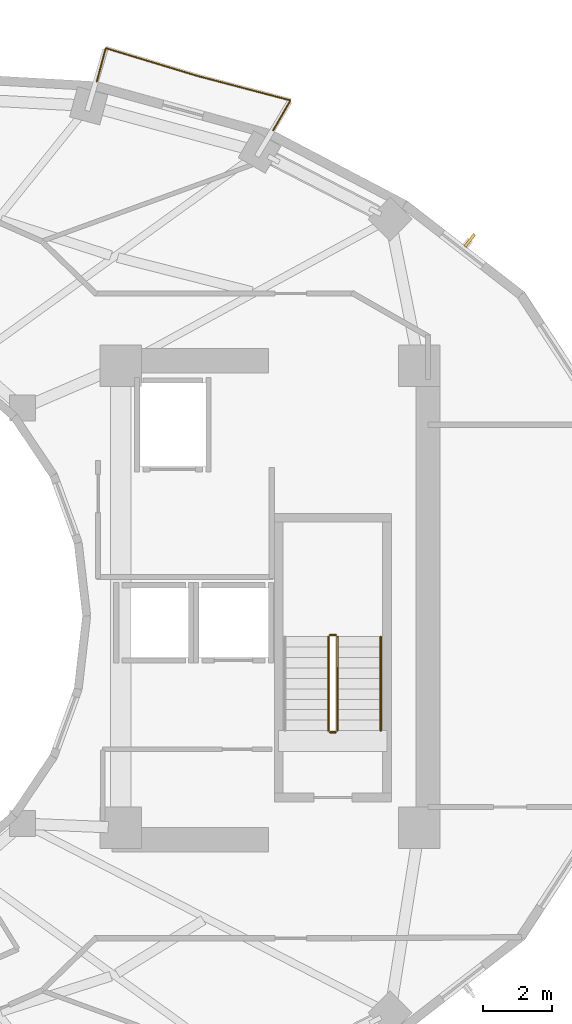
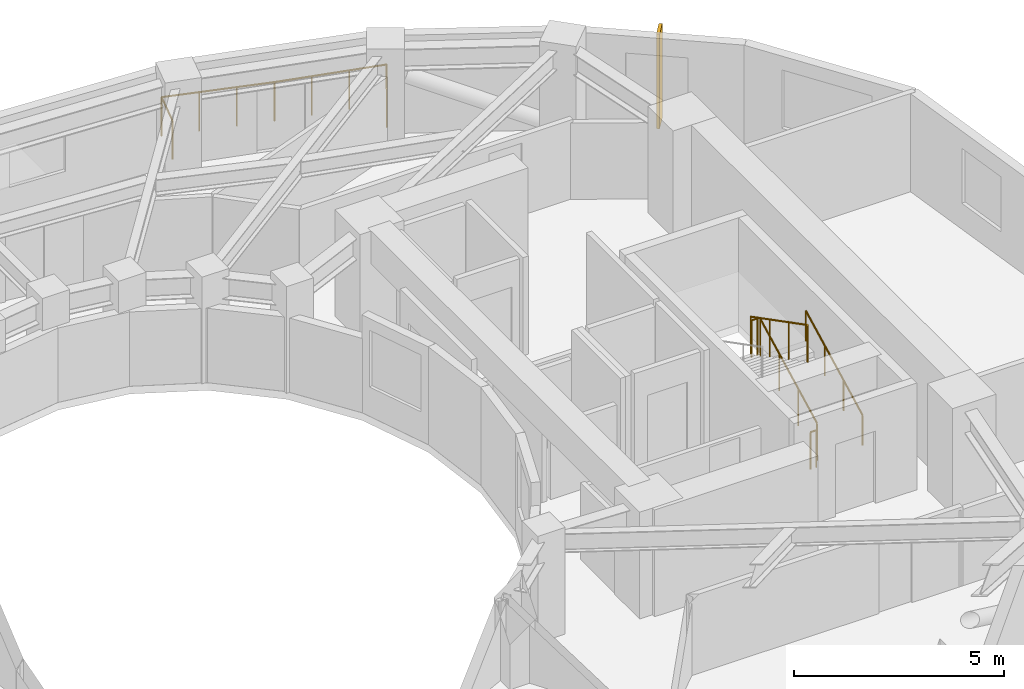
# One storey, part 10 of 10: 6 railings, 1 shading device.
"""IFC4 building model written with IfcOpenShell, lengths in metres."""

from ifc_helpers import new_model, si_unit, direction, frame, origin, origin_2d, place, context, subcontext, project, spatial, rectangle, circle, extrude, material, layer, layer_set, type_object, element, save


model = new_model("IFC4")

# Units and contexts
model_context = context("Model", 3, precision=1e-05, world=origin(), true_north=direction((0.0, 1.0)))
body_context = subcontext(model_context, "Body", "Model", "MODEL_VIEW")
ifc_project = project(units=[si_unit("LENGTHUNIT", "METRE"), si_unit("AREAUNIT", "SQUARE_METRE"), si_unit("VOLUMEUNIT", "CUBIC_METRE"), si_unit("PLANEANGLEUNIT", "RADIAN"), si_unit("MASSUNIT", "GRAM", prefix="KILO")], contexts=[model_context])

# Site, building, storey
site_placement = place(None, origin())
site = spatial("IfcSite", under=ifc_project, at=site_placement, CompositionType="ELEMENT")
building_placement = place(site_placement, origin())
building = spatial("IfcBuilding", under=site, at=building_placement, Name="Solvane Sanctuary Tower", CompositionType="ELEMENT")
storey_placement = place(building_placement, frame((0.0, 0.0, 165.300048828125)))
storey = spatial("IfcBuildingStorey", under=building, at=storey_placement, Name="L50", CompositionType="ELEMENT", Elevation=165.300048828125)

# Railings
ifc_material_1 = material(Name="Architectural Stainless Steel 316", Category="steel")
railing_type_1 = type_object("IfcRailingType", Name="Railing GR-BALC-1150", PredefinedType="BALUSTRADE", material=ifc_material_1)
railing_1_placement = place(storey_placement, frame((44.489013671875, 36.977294921875, 0.0)))
element("IfcRailing", 1, at=railing_1_placement, inside=storey, type_object=railing_type_1, Name="L50 Wave Balcony Balustrade N1", PredefinedType="BALUSTRADE", context=body_context, shape_type="SweptSolid", body=[
    extrude(circle(Radius=0.02392578125, at=origin_2d()), frame((0.0, 0.0, 1.1259765625), z_axis=(0.500102734445, 0.865966081899, 0.0), x_axis=(-0.865966081899, 0.500102734445, 0.0)), (0.0, 0.0, 1.0), 1.000244140625),
    extrude(circle(Radius=0.02392578125, at=origin_2d()), frame((0.500244140625, 0.8662109375, 1.1259765625), z_axis=(-0.967132716299, 0.254272116174, 0.0), x_axis=(-0.254272116174, -0.967132716299, 0.0)), (0.0, 0.0, 1.0), 2.77099609375),
    extrude(circle(Radius=0.02392578125, at=origin_2d()), frame((-2.1796875, 1.57080078125, 1.1259765625), z_axis=(-0.95704821977, 0.289928793043, 0.0), x_axis=(-0.289928793043, -0.95704821977, 0.0)), (0.0, 0.0, 1.0), 2.758544921875),
    extrude(circle(Radius=0.02392578125, at=origin_2d()), frame((-4.81982421875, 2.37060546875, 1.1259765625), z_axis=(-0.2587564216, -0.96594260403, 0.0), x_axis=(0.96594260403, -0.2587564216, 0.0)), (0.0, 0.0, 1.0), 1.000244140625),
    extrude(circle(Radius=0.02099609375, at=origin_2d()), origin(), (0.0, 0.0, 1.0), 1.101806640625),
    extrude(circle(Radius=0.02099609375, at=origin_2d()), frame((0.500244140625, 0.8662109375, 0.0)), (0.0, 0.0, 1.0), 1.101806640625),
    extrude(circle(Radius=0.02099609375, at=origin_2d()), frame((-0.39306640625, 1.10107421875, 0.0)), (0.0, 0.0, 1.0), 1.101806640625),
    extrude(circle(Radius=0.02099609375, at=origin_2d()), frame((-1.286376953125, 1.3359375, 0.0)), (0.0, 0.0, 1.0), 1.101806640625),
    extrude(circle(Radius=0.02099609375, at=origin_2d()), frame((-2.1796875, 1.57080078125, 0.0)), (0.0, 0.0, 1.0), 1.101806640625),
    extrude(circle(Radius=0.02099609375, at=origin_2d()), frame((-3.059814453125, 1.83740234375, 0.0)), (0.0, 0.0, 1.0), 1.101806640625),
    extrude(circle(Radius=0.02099609375, at=origin_2d()), frame((-3.939697265625, 2.10400390625, 0.0)), (0.0, 0.0, 1.0), 1.101806640625),
    extrude(circle(Radius=0.02099609375, at=origin_2d()), frame((-4.81982421875, 2.37060546875, 0.0)), (0.0, 0.0, 1.0), 1.101806640625),
    extrude(circle(Radius=0.02099609375, at=origin_2d()), frame((-5.07861328125, 1.404541015625, 0.0)), (0.0, 0.0, 1.0), 1.101806640625),
])
railing_2_placement = place(storey_placement, frame((46.340087890625, 19.699951171875, 0.155029296875)))
element("IfcRailing", 2, at=railing_2_placement, inside=storey, type_object=railing_type_1, Name="L50 ST-2 stair guard 1", PredefinedType="BALUSTRADE", context=body_context, shape_type="SweptSolid", body=[
    extrude(circle(Radius=0.02392578125, at=origin_2d()), frame((0.0, 0.0, 1.076171875), z_axis=(0.0, 0.888419900624, 0.459031676658), x_axis=(-1.0, 0.0, 0.0)), (0.0, 0.0, 1.0), 3.0390625),
    extrude(circle(Radius=0.02099609375, at=origin_2d()), origin(), (0.0, 0.0, 1.0), 1.052001953125),
    extrude(circle(Radius=0.02099609375, at=origin_2d()), frame((0.0, 0.89990234375, 0.465087890625)), (0.0, 0.0, 1.0), 1.052001953125),
    extrude(circle(Radius=0.02099609375, at=origin_2d()), frame((0.0, 1.800048828125, 0.929931640625)), (0.0, 0.0, 1.0), 1.052001953125),
    extrude(circle(Radius=0.02099609375, at=origin_2d()), frame((0.0, 2.699951171875, 1.39501953125)), (0.0, 0.0, 1.0), 1.052001953125),
])
railing_3_placement = place(storey_placement, frame((46.2900390625, 22.449951171875, 1.550048828125)))
element("IfcRailing", 3, at=railing_3_placement, inside=storey, type_object=railing_type_1, Name="L50 ST-2 stair guard 2", PredefinedType="BALUSTRADE", context=body_context, shape_type="SweptSolid", body=[
    extrude(circle(Radius=0.02392578125, at=origin_2d()), frame((0.0, 0.0, 1.076171875), z_axis=(-1.0, 0.0, 0.0), x_axis=(0.0, -1.0, 0.0)), (0.0, 0.0, 1.0), 0.16015625),
    extrude(circle(Radius=0.02099609375, at=origin_2d()), origin(), (0.0, 0.0, 1.0), 1.052001953125),
    extrude(circle(Radius=0.02099609375, at=origin_2d()), frame((-0.16015625, 0.0, 0.0)), (0.0, 0.0, 1.0), 1.052001953125),
])
railing_4_placement = place(storey_placement, frame((46.080078125, 22.39990234375, 1.704833984375)))
element("IfcRailing", 4, at=railing_4_placement, inside=storey, type_object=railing_type_1, Name="L50 ST-2 stair guard 3", PredefinedType="BALUSTRADE", context=body_context, shape_type="SweptSolid", body=[
    extrude(circle(Radius=0.02392578125, at=origin_2d()), frame((0.0, 0.0, 1.076171875), z_axis=(0.0, -0.888419900624, 0.459031676658), x_axis=(1.0, 0.0, 0.0)), (0.0, 0.0, 1.0), 3.0390625),
    extrude(circle(Radius=0.02099609375, at=origin_2d()), origin(), (0.0, 0.0, 1.0), 1.052001953125),
    extrude(circle(Radius=0.02099609375, at=origin_2d()), frame((0.0, -0.89990234375, 0.465087890625)), (0.0, 0.0, 1.0), 1.052001953125),
    extrude(circle(Radius=0.02099609375, at=origin_2d()), frame((0.0, -1.800048828125, 0.929931640625)), (0.0, 0.0, 1.0), 1.052001953125),
    extrude(circle(Radius=0.02099609375, at=origin_2d()), frame((0.0, -2.699951171875, 1.39501953125)), (0.0, 0.0, 1.0), 1.052001953125),
])
railing_5_placement = place(storey_placement, frame((46.2900390625, 19.64990234375, 0.0)))
element("IfcRailing", 5, at=railing_5_placement, inside=storey, type_object=railing_type_1, Name="L50 ST-2 stair guard 4", PredefinedType="BALUSTRADE", context=body_context, shape_type="SweptSolid", body=[
    extrude(circle(Radius=0.02392578125, at=origin_2d()), frame((0.0, 0.0, 1.076171875), z_axis=(-1.0, 0.0, 0.0), x_axis=(0.0, -1.0, 0.0)), (0.0, 0.0, 1.0), 0.16015625),
    extrude(circle(Radius=0.02099609375, at=origin_2d()), origin(), (0.0, 0.0, 1.0), 1.052001953125),
    extrude(circle(Radius=0.02099609375, at=origin_2d()), frame((-0.16015625, 0.0, 0.0)), (0.0, 0.0, 1.0), 1.052001953125),
])
railing_type_2 = type_object("IfcRailingType", Name="Railing HR-STAIR-920", PredefinedType="HANDRAIL", material=ifc_material_1)
railing_6_placement = place(storey_placement, frame((47.590087890625, 19.699951171875, 0.155029296875)))
element("IfcRailing", 6, at=railing_6_placement, inside=storey, type_object=railing_type_2, Name="L50 ST-2 stair handrail 1", PredefinedType="HANDRAIL", context=body_context, shape_type="SweptSolid", body=[
    extrude(circle(Radius=0.02392578125, at=origin_2d()), frame((0.0, 0.0, 0.8759765625), z_axis=(0.0, 0.888419900624, 0.459031676658), x_axis=(-1.0, 0.0, 0.0)), (0.0, 0.0, 1.0), 3.0390625),
    extrude(circle(Radius=0.02099609375, at=origin_2d()), origin(), (0.0, 0.0, 1.0), 0.851806640625),
    extrude(circle(Radius=0.02099609375, at=origin_2d()), frame((0.0, 0.89990234375, 0.465087890625)), (0.0, 0.0, 1.0), 0.851806640625),
    extrude(circle(Radius=0.02099609375, at=origin_2d()), frame((0.0, 1.800048828125, 0.929931640625)), (0.0, 0.0, 1.0), 0.851806640625),
    extrude(circle(Radius=0.02099609375, at=origin_2d()), frame((0.0, 2.699951171875, 1.39501953125)), (0.0, 0.0, 1.0), 0.851806640625),
])

# Shading device
ifc_material_2 = material(Name="Anodised Aluminium 6063-T6", Category="aluminium")
ifc_layer = layer(ifc_material_2, 0.080078125, Name="Anodised Aluminium 6063-T6")
ifc_layer_set = layer_set([ifc_layer], Name="Anodised Aluminium 6063-T6")
shading_device_type = type_object("IfcShadingDeviceType", Name="Shading SHD-FIN", PredefinedType="USERDEFINED", material=ifc_layer_set)
shading_device_placement = place(storey_placement, frame((50.152587890625, 33.811279296875, 0.050048828125), z_axis=(0.0, 0.0, 1.0), x_axis=(-0.790165709501, 0.612893262753, 0.0)))
element("IfcShadingDevice", 7, at=shading_device_placement, inside=storey, type_object=shading_device_type, Name="L50 Aerodynamic Vertical Fin 02", ObjectType="FIN", PredefinedType="USERDEFINED", context=body_context, shape_type="SweptSolid", body=[
    extrude(rectangle(XDim=0.080078125, YDim=0.449951171875, at=origin_2d()), origin(), (0.0, 0.0, 1.0), 2.75),
])

save(model, "model.ifc")
